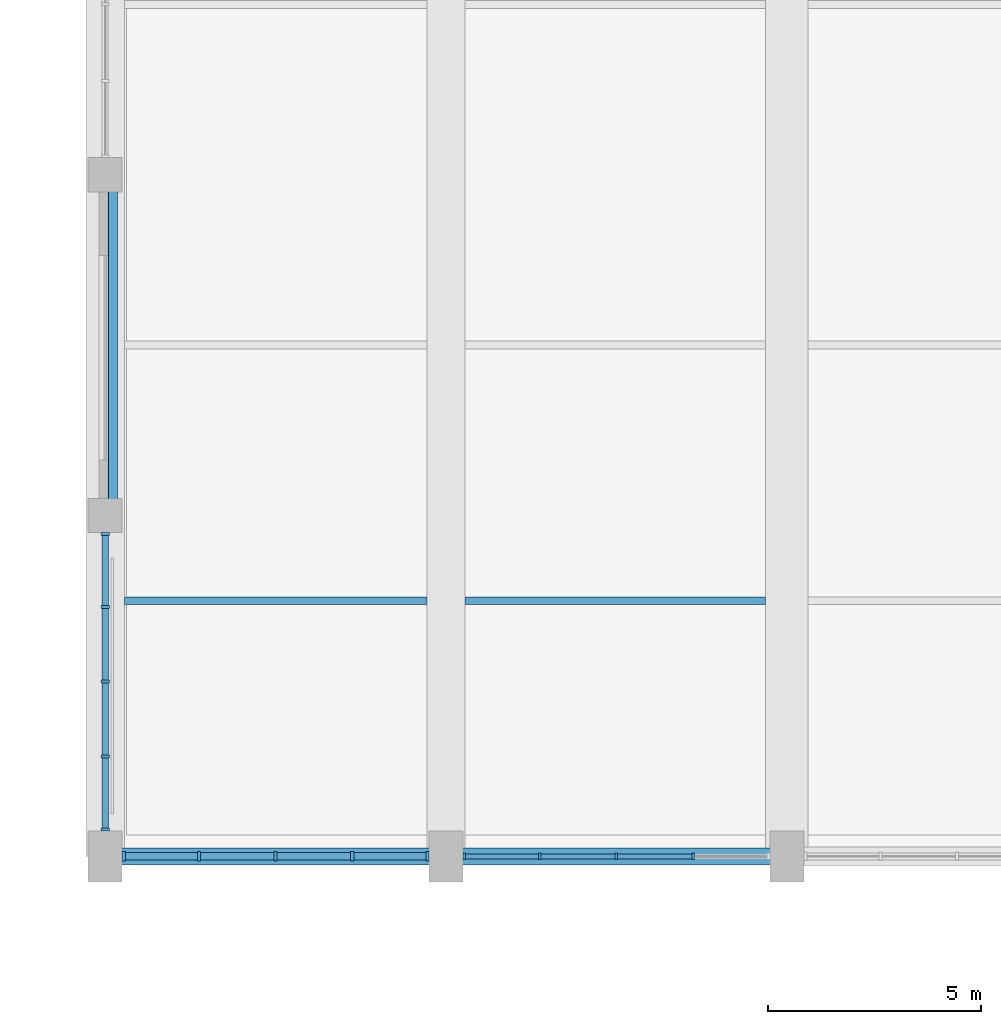
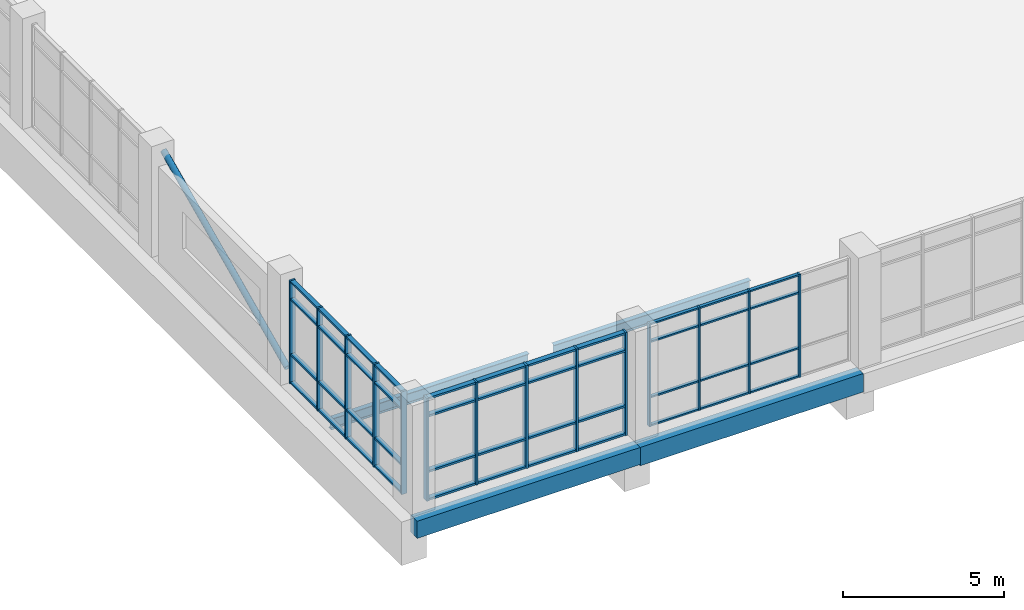
# One storey, part 3 of 84: 59 members, 4 beams, 3 elements without a shape of their own.
"""IFC4 building model written with IfcOpenShell, lengths in metres."""

from ifc_helpers import new_model, si_unit, direction, frame, origin, origin_2d, place, context, subcontext, project, spatial, rectangle, hollow_circle, i_section, extrude, material, material_profile, profile_set, type_object, element, aggregate, save


model = new_model("IFC4")

# Units and contexts
model_context = context("Model", 3, precision=1e-05, world=origin(), true_north=direction((0.0, 1.0)))
body_context = subcontext(model_context, "Body", "Model", "MODEL_VIEW")
ifc_project = project(units=[si_unit("LENGTHUNIT", "METRE"), si_unit("AREAUNIT", "SQUARE_METRE"), si_unit("VOLUMEUNIT", "CUBIC_METRE"), si_unit("PLANEANGLEUNIT", "RADIAN"), si_unit("MASSUNIT", "GRAM", prefix="KILO")], contexts=[model_context])

# Site, building, storey
site_placement = place(None, origin())
site = spatial("IfcSite", under=ifc_project, at=site_placement, CompositionType="ELEMENT")
building_placement = place(site_placement, origin())
building = spatial("IfcBuilding", under=site, at=building_placement, Name="Tenunan Teduh Sports Hall", CompositionType="ELEMENT")
storey_placement = place(building_placement, frame((0.0, 0.0, 10.800048828125)))
storey = spatial("IfcBuildingStorey", under=building, at=storey_placement, Name="L02", CompositionType="ELEMENT", Elevation=10.800048828125)

# Beams
ifc_material_1 = material(Name="Concrete C40/50", Category="concrete")
ifc_material_profile_1 = material_profile(ifc_material_1, rectangle(XDim=0.39990234375, YDim=0.64990234375, at=origin_2d()), Name="RCB 400x650")
ifc_profile_set_1 = profile_set([ifc_material_profile_1], Name="Concrete C40/50")
beam_type_1 = type_object("IfcBeamType", Name="BM-RC-400x650", PredefinedType="BEAM", material=ifc_profile_set_1)
beam_1_placement = place(storey_placement, frame((6.0, 14.0, -0.875), z_axis=(1.0, 0.0, 0.0), x_axis=(0.0, 1.0, 0.0)))
element("IfcBeam", 1, at=beam_1_placement, inside=storey, type_object=beam_type_1, Name="BM-B-07-L02-1452", PredefinedType="BEAM", context=body_context, shape_type="SweptSolid", body=[
    extrude(rectangle(XDim=0.39990234375, YDim=0.64990234375, at=origin_2d()), origin(), (0.0, 0.0, 1.0), 8.0),
])
ifc_material_2 = material(Name="Concrete C40/50", Category="concrete")
ifc_material_profile_2 = material_profile(ifc_material_2, rectangle(XDim=0.39990234375, YDim=0.699951171875, at=origin_2d()), Name="RCB 400x700")
ifc_profile_set_2 = profile_set([ifc_material_profile_2], Name="Concrete C40/50")
beam_type_2 = type_object("IfcBeamType", Name="BM-RC-400x700", PredefinedType="BEAM", material=ifc_profile_set_2)
beam_2_placement = place(storey_placement, frame((14.0, 14.0, -0.900146484375), z_axis=(1.0, 0.0, 0.0), x_axis=(0.0, 1.0, 0.0)))
element("IfcBeam", 2, at=beam_2_placement, inside=storey, type_object=beam_type_2, Name="BM-B-08-L02-1453", PredefinedType="BEAM", context=body_context, shape_type="SweptSolid", body=[
    extrude(rectangle(XDim=0.39990234375, YDim=0.699951171875, at=origin_2d()), origin(), (0.0, 0.0, 1.0), 8.0),
])

# Curtain wall, members
ifc_material_3 = material(Name="Anodised aluminium", Category="aluminium")
curtain_wall_type = type_object("IfcCurtainWallType", Name="CW-UNIT-2", PredefinedType="NOTDEFINED", material=ifc_material_3)
curtain_wall_1_placement = place(storey_placement, origin())
curtain_wall_1 = element("IfcCurtainWall", 3, at=curtain_wall_1_placement, inside=storey, type_object=curtain_wall_type, Name="CW-CWM-150-L02-059", PredefinedType="NOTDEFINED")
ifc_material_4 = material(Name="Anodised aluminium", Category="aluminium")
ifc_material_profile_3 = material_profile(ifc_material_4, rectangle(XDim=0.06005859375, YDim=0.14990234375, at=origin_2d()), Name="CWM 60x150")
ifc_profile_set_3 = profile_set([ifc_material_profile_3], Name="Anodised aluminium")
member_type_1 = type_object("IfcMemberType", Name="CWM-150", PredefinedType="MULLION", material=ifc_profile_set_3)
member_1_placement = place(storey_placement, frame((14.429931640625, 14.0, 0.0), z_axis=(0.0, 0.0, 1.0), x_axis=(1.0, 0.0, 0.0)))
member_1 = element("IfcMember", 4, at=member_1_placement, type_object=member_type_1, Name="CW-02 mullion 1", PredefinedType="MULLION", context=body_context, shape_type="SweptSolid", body=[
    extrude(rectangle(XDim=0.06005859375, YDim=0.14990234375, at=origin_2d()), origin(), (0.0, 0.0, 1.0), 3.89990234375),
])
member_2_placement = place(storey_placement, frame((16.199951171875, 14.0, 0.0), z_axis=(0.0, 0.0, 1.0), x_axis=(1.0, 0.0, 0.0)))
member_2 = element("IfcMember", 5, at=member_2_placement, type_object=member_type_1, Name="CW-02 mullion 2", PredefinedType="MULLION", context=body_context, shape_type="SweptSolid", body=[
    extrude(rectangle(XDim=0.06005859375, YDim=0.14990234375, at=origin_2d()), origin(), (0.0, 0.0, 1.0), 3.89990234375),
])
member_3_placement = place(storey_placement, frame((18.0, 14.0, 0.0), z_axis=(0.0, 0.0, 1.0), x_axis=(1.0, 0.0, 0.0)))
member_3 = element("IfcMember", 6, at=member_3_placement, type_object=member_type_1, Name="CW-02 mullion 3", PredefinedType="MULLION", context=body_context, shape_type="SweptSolid", body=[
    extrude(rectangle(XDim=0.06005859375, YDim=0.14990234375, at=origin_2d()), origin(), (0.0, 0.0, 1.0), 3.89990234375),
])
member_4_placement = place(storey_placement, frame((19.800048828125, 14.0, 0.0), z_axis=(0.0, 0.0, 1.0), x_axis=(1.0, 0.0, 0.0)))
member_4 = element("IfcMember", 7, at=member_4_placement, type_object=member_type_1, Name="CW-02 mullion 4", PredefinedType="MULLION", context=body_context, shape_type="SweptSolid", body=[
    extrude(rectangle(XDim=0.06005859375, YDim=0.14990234375, at=origin_2d()), origin(), (0.0, 0.0, 1.0), 3.89990234375),
])

curtain_wall_2_placement = place(storey_placement, origin())
curtain_wall_2 = element("IfcCurtainWall", 8, at=curtain_wall_2_placement, inside=storey, type_object=curtain_wall_type, Name="CW-CWM-200-L02-068", PredefinedType="NOTDEFINED")
ifc_material_5 = material(Name="Anodised aluminium", Category="aluminium")
ifc_material_profile_4 = material_profile(ifc_material_5, rectangle(XDim=0.070068359375, YDim=0.199951171875, at=origin_2d()), Name="CWM 70x200")
ifc_profile_set_4 = profile_set([ifc_material_profile_4], Name="Anodised aluminium")
member_type_2 = type_object("IfcMemberType", Name="CWM-200", PredefinedType="MULLION", material=ifc_profile_set_4)
member_5_placement = place(storey_placement, frame((6.0, 14.635009765625, 0.0), z_axis=(0.0, 0.0, 1.0), x_axis=(0.0, 1.0, 0.0)))
member_5 = element("IfcMember", 9, at=member_5_placement, type_object=member_type_2, Name="CW-02 mullion 1", PredefinedType="MULLION", context=body_context, shape_type="SweptSolid", body=[
    extrude(rectangle(XDim=0.070068359375, YDim=0.199951171875, at=origin_2d()), origin(), (0.0, 0.0, 1.0), 3.89990234375),
])
member_6_placement = place(storey_placement, frame((6.0, 16.35009765625, 0.0), z_axis=(0.0, 0.0, 1.0), x_axis=(0.0, 1.0, 0.0)))
member_6 = element("IfcMember", 10, at=member_6_placement, type_object=member_type_2, Name="CW-02 mullion 2", PredefinedType="MULLION", context=body_context, shape_type="SweptSolid", body=[
    extrude(rectangle(XDim=0.070068359375, YDim=0.199951171875, at=origin_2d()), origin(), (0.0, 0.0, 1.0), 3.89990234375),
])
member_7_placement = place(storey_placement, frame((6.0, 18.10009765625, 0.0), z_axis=(0.0, 0.0, 1.0), x_axis=(0.0, 1.0, 0.0)))
member_7 = element("IfcMember", 11, at=member_7_placement, type_object=member_type_2, Name="CW-02 mullion 3", PredefinedType="MULLION", context=body_context, shape_type="SweptSolid", body=[
    extrude(rectangle(XDim=0.070068359375, YDim=0.199951171875, at=origin_2d()), origin(), (0.0, 0.0, 1.0), 3.89990234375),
])
member_8_placement = place(storey_placement, frame((6.0, 19.85009765625, 0.0), z_axis=(0.0, 0.0, 1.0), x_axis=(0.0, 1.0, 0.0)))
member_8 = element("IfcMember", 12, at=member_8_placement, type_object=member_type_2, Name="CW-02 mullion 4", PredefinedType="MULLION", context=body_context, shape_type="SweptSolid", body=[
    extrude(rectangle(XDim=0.070068359375, YDim=0.199951171875, at=origin_2d()), origin(), (0.0, 0.0, 1.0), 3.89990234375),
])
member_9_placement = place(storey_placement, frame((6.0, 21.56494140625, 0.0), z_axis=(0.0, 0.0, 1.0), x_axis=(0.0, 1.0, 0.0)))
member_9 = element("IfcMember", 13, at=member_9_placement, type_object=member_type_2, Name="CW-02 mullion 5", PredefinedType="MULLION", context=body_context, shape_type="SweptSolid", body=[
    extrude(rectangle(XDim=0.070068359375, YDim=0.199951171875, at=origin_2d()), origin(), (0.0, 0.0, 1.0), 3.89990234375),
])

curtain_wall_3_placement = place(storey_placement, origin())
curtain_wall_3 = element("IfcCurtainWall", 14, at=curtain_wall_3_placement, inside=storey, type_object=curtain_wall_type, Name="CW-CWM-220-L02-057", PredefinedType="NOTDEFINED")
ifc_material_6 = material(Name="Anodised aluminium", Category="aluminium")
ifc_material_profile_5 = material_profile(ifc_material_6, rectangle(XDim=0.074951171875, YDim=0.219970703125, at=origin_2d()), Name="CWM 75x220")
ifc_profile_set_5 = profile_set([ifc_material_profile_5], Name="Anodised aluminium")
member_type_3 = type_object("IfcMemberType", Name="CWM-220", PredefinedType="MULLION", material=ifc_profile_set_5)
member_10_placement = place(storey_placement, frame((6.4375, 14.0, 0.0), z_axis=(0.0, 0.0, 1.0), x_axis=(1.0, 0.0, 0.0)))
member_10 = element("IfcMember", 15, at=member_10_placement, type_object=member_type_3, Name="CW-02 mullion 1", PredefinedType="MULLION", context=body_context, shape_type="SweptSolid", body=[
    extrude(rectangle(XDim=0.074951171875, YDim=0.219970703125, at=origin_2d()), origin(), (0.0, 0.0, 1.0), 3.89990234375),
])
member_11_placement = place(storey_placement, frame((8.199951171875, 14.0, 0.0), z_axis=(0.0, 0.0, 1.0), x_axis=(1.0, 0.0, 0.0)))
member_11 = element("IfcMember", 16, at=member_11_placement, type_object=member_type_3, Name="CW-02 mullion 2", PredefinedType="MULLION", context=body_context, shape_type="SweptSolid", body=[
    extrude(rectangle(XDim=0.074951171875, YDim=0.219970703125, at=origin_2d()), origin(), (0.0, 0.0, 1.0), 3.89990234375),
])
member_12_placement = place(storey_placement, frame((10.0, 14.0, 0.0), z_axis=(0.0, 0.0, 1.0), x_axis=(1.0, 0.0, 0.0)))
member_12 = element("IfcMember", 17, at=member_12_placement, type_object=member_type_3, Name="CW-02 mullion 3", PredefinedType="MULLION", context=body_context, shape_type="SweptSolid", body=[
    extrude(rectangle(XDim=0.074951171875, YDim=0.219970703125, at=origin_2d()), origin(), (0.0, 0.0, 1.0), 3.89990234375),
])
member_13_placement = place(storey_placement, frame((11.800048828125, 14.0, 0.0), z_axis=(0.0, 0.0, 1.0), x_axis=(1.0, 0.0, 0.0)))
member_13 = element("IfcMember", 18, at=member_13_placement, type_object=member_type_3, Name="CW-02 mullion 4", PredefinedType="MULLION", context=body_context, shape_type="SweptSolid", body=[
    extrude(rectangle(XDim=0.074951171875, YDim=0.219970703125, at=origin_2d()), origin(), (0.0, 0.0, 1.0), 3.89990234375),
])
member_14_placement = place(storey_placement, frame((13.5625, 14.0, 0.0), z_axis=(0.0, 0.0, 1.0), x_axis=(1.0, 0.0, 0.0)))
member_14 = element("IfcMember", 19, at=member_14_placement, type_object=member_type_3, Name="CW-02 mullion 5", PredefinedType="MULLION", context=body_context, shape_type="SweptSolid", body=[
    extrude(rectangle(XDim=0.074951171875, YDim=0.219970703125, at=origin_2d()), origin(), (0.0, 0.0, 1.0), 3.89990234375),
])

# Member
ifc_material_7 = material(Name="Anodised aluminium", Category="aluminium")
ifc_material_profile_6 = material_profile(ifc_material_7, rectangle(XDim=0.06005859375, YDim=0.1201171875, at=origin_2d()), Name="CWT 60x120")
ifc_profile_set_6 = profile_set([ifc_material_profile_6], Name="Anodised aluminium")
member_type_4 = type_object("IfcMemberType", Name="CWT-125", PredefinedType="USERDEFINED", material=ifc_profile_set_6)
member_15_placement = place(storey_placement, frame((14.4599609375, 14.0, 0.030029296875), z_axis=(1.0, 0.0, 0.0), x_axis=(0.0, 0.0, 1.0)))
member_15 = element("IfcMember", 20, at=member_15_placement, type_object=member_type_4, Name="CW-02 transom 1.1", ObjectType="TRANSOM", PredefinedType="USERDEFINED", context=body_context, shape_type="SweptSolid", body=[
    extrude(rectangle(XDim=0.06005859375, YDim=0.1201171875, at=origin_2d()), origin(), (0.0, 0.0, 1.0), 1.7099609375),
])

member_16_placement = place(storey_placement, frame((14.4599609375, 14.0, 1.099853515625), z_axis=(1.0, 0.0, 0.0), x_axis=(0.0, 0.0, 1.0)))
member_16 = element("IfcMember", 21, at=member_16_placement, type_object=member_type_4, Name="CW-02 transom 1.2", ObjectType="TRANSOM", PredefinedType="USERDEFINED", context=body_context, shape_type="SweptSolid", body=[
    extrude(rectangle(XDim=0.06005859375, YDim=0.1201171875, at=origin_2d()), origin(), (0.0, 0.0, 1.0), 1.7099609375),
])

member_17_placement = place(storey_placement, frame((14.4599609375, 14.0, 3.199951171875), z_axis=(1.0, 0.0, 0.0), x_axis=(0.0, 0.0, 1.0)))
member_17 = element("IfcMember", 22, at=member_17_placement, type_object=member_type_4, Name="CW-02 transom 1.3", ObjectType="TRANSOM", PredefinedType="USERDEFINED", context=body_context, shape_type="SweptSolid", body=[
    extrude(rectangle(XDim=0.06005859375, YDim=0.1201171875, at=origin_2d()), origin(), (0.0, 0.0, 1.0), 1.7099609375),
])

member_18_placement = place(storey_placement, frame((14.4599609375, 14.0, 3.869873046875), z_axis=(1.0, 0.0, 0.0), x_axis=(0.0, 0.0, 1.0)))
member_18 = element("IfcMember", 23, at=member_18_placement, type_object=member_type_4, Name="CW-02 transom 1.4", ObjectType="TRANSOM", PredefinedType="USERDEFINED", context=body_context, shape_type="SweptSolid", body=[
    extrude(rectangle(XDim=0.06005859375, YDim=0.1201171875, at=origin_2d()), origin(), (0.0, 0.0, 1.0), 1.7099609375),
])

member_19_placement = place(storey_placement, frame((16.22998046875, 14.0, 0.030029296875), z_axis=(1.0, 0.0, 0.0), x_axis=(0.0, 0.0, 1.0)))
member_19 = element("IfcMember", 24, at=member_19_placement, type_object=member_type_4, Name="CW-02 transom 2.1", ObjectType="TRANSOM", PredefinedType="USERDEFINED", context=body_context, shape_type="SweptSolid", body=[
    extrude(rectangle(XDim=0.06005859375, YDim=0.1201171875, at=origin_2d()), origin(), (0.0, 0.0, 1.0), 1.739990234375),
])

member_20_placement = place(storey_placement, frame((16.22998046875, 14.0, 1.099853515625), z_axis=(1.0, 0.0, 0.0), x_axis=(0.0, 0.0, 1.0)))
member_20 = element("IfcMember", 25, at=member_20_placement, type_object=member_type_4, Name="CW-02 transom 2.2", ObjectType="TRANSOM", PredefinedType="USERDEFINED", context=body_context, shape_type="SweptSolid", body=[
    extrude(rectangle(XDim=0.06005859375, YDim=0.1201171875, at=origin_2d()), origin(), (0.0, 0.0, 1.0), 1.739990234375),
])

member_21_placement = place(storey_placement, frame((16.22998046875, 14.0, 3.199951171875), z_axis=(1.0, 0.0, 0.0), x_axis=(0.0, 0.0, 1.0)))
member_21 = element("IfcMember", 26, at=member_21_placement, type_object=member_type_4, Name="CW-02 transom 2.3", ObjectType="TRANSOM", PredefinedType="USERDEFINED", context=body_context, shape_type="SweptSolid", body=[
    extrude(rectangle(XDim=0.06005859375, YDim=0.1201171875, at=origin_2d()), origin(), (0.0, 0.0, 1.0), 1.739990234375),
])

member_22_placement = place(storey_placement, frame((16.22998046875, 14.0, 3.869873046875), z_axis=(1.0, 0.0, 0.0), x_axis=(0.0, 0.0, 1.0)))
member_22 = element("IfcMember", 27, at=member_22_placement, type_object=member_type_4, Name="CW-02 transom 2.4", ObjectType="TRANSOM", PredefinedType="USERDEFINED", context=body_context, shape_type="SweptSolid", body=[
    extrude(rectangle(XDim=0.06005859375, YDim=0.1201171875, at=origin_2d()), origin(), (0.0, 0.0, 1.0), 1.739990234375),
])

member_23_placement = place(storey_placement, frame((18.030029296875, 14.0, 0.030029296875), z_axis=(1.0, 0.0, 0.0), x_axis=(0.0, 0.0, 1.0)))
member_23 = element("IfcMember", 28, at=member_23_placement, type_object=member_type_4, Name="CW-02 transom 3.1", ObjectType="TRANSOM", PredefinedType="USERDEFINED", context=body_context, shape_type="SweptSolid", body=[
    extrude(rectangle(XDim=0.06005859375, YDim=0.1201171875, at=origin_2d()), origin(), (0.0, 0.0, 1.0), 1.739990234375),
])

member_24_placement = place(storey_placement, frame((18.030029296875, 14.0, 1.099853515625), z_axis=(1.0, 0.0, 0.0), x_axis=(0.0, 0.0, 1.0)))
member_24 = element("IfcMember", 29, at=member_24_placement, type_object=member_type_4, Name="CW-02 transom 3.2", ObjectType="TRANSOM", PredefinedType="USERDEFINED", context=body_context, shape_type="SweptSolid", body=[
    extrude(rectangle(XDim=0.06005859375, YDim=0.1201171875, at=origin_2d()), origin(), (0.0, 0.0, 1.0), 1.739990234375),
])

member_25_placement = place(storey_placement, frame((18.030029296875, 14.0, 3.199951171875), z_axis=(1.0, 0.0, 0.0), x_axis=(0.0, 0.0, 1.0)))
member_25 = element("IfcMember", 30, at=member_25_placement, type_object=member_type_4, Name="CW-02 transom 3.3", ObjectType="TRANSOM", PredefinedType="USERDEFINED", context=body_context, shape_type="SweptSolid", body=[
    extrude(rectangle(XDim=0.06005859375, YDim=0.1201171875, at=origin_2d()), origin(), (0.0, 0.0, 1.0), 1.739990234375),
])

member_26_placement = place(storey_placement, frame((18.030029296875, 14.0, 3.869873046875), z_axis=(1.0, 0.0, 0.0), x_axis=(0.0, 0.0, 1.0)))
member_26 = element("IfcMember", 31, at=member_26_placement, type_object=member_type_4, Name="CW-02 transom 3.4", ObjectType="TRANSOM", PredefinedType="USERDEFINED", context=body_context, shape_type="SweptSolid", body=[
    extrude(rectangle(XDim=0.06005859375, YDim=0.1201171875, at=origin_2d()), origin(), (0.0, 0.0, 1.0), 1.739990234375),
])

aggregate(curtain_wall_1, [member_1, member_2, member_3, member_4, member_15, member_16, member_17, member_18, member_19, member_20, member_21, member_22, member_23, member_24, member_25, member_26])

ifc_material_8 = material(Name="Anodised aluminium", Category="aluminium")
ifc_material_profile_7 = material_profile(ifc_material_8, rectangle(XDim=0.074951171875, YDim=0.179931640625, at=origin_2d()), Name="CWT 75x180")
ifc_profile_set_7 = profile_set([ifc_material_profile_7], Name="Anodised aluminium")
member_type_5 = type_object("IfcMemberType", Name="CWT-180", PredefinedType="USERDEFINED", material=ifc_profile_set_7)
member_27_placement = place(storey_placement, frame((6.47509765625, 14.0, 0.037353515625), z_axis=(1.0, 0.0, 0.0), x_axis=(0.0, 0.0, 1.0)))
member_27 = element("IfcMember", 32, at=member_27_placement, type_object=member_type_5, Name="CW-02 transom 1.1", ObjectType="TRANSOM", PredefinedType="USERDEFINED", context=body_context, shape_type="SweptSolid", body=[
    extrude(rectangle(XDim=0.074951171875, YDim=0.179931640625, at=origin_2d()), origin(), (0.0, 0.0, 1.0), 1.6875),
])

member_28_placement = place(storey_placement, frame((6.47509765625, 14.0, 1.099853515625), z_axis=(1.0, 0.0, 0.0), x_axis=(0.0, 0.0, 1.0)))
member_28 = element("IfcMember", 33, at=member_28_placement, type_object=member_type_5, Name="CW-02 transom 1.2", ObjectType="TRANSOM", PredefinedType="USERDEFINED", context=body_context, shape_type="SweptSolid", body=[
    extrude(rectangle(XDim=0.074951171875, YDim=0.179931640625, at=origin_2d()), origin(), (0.0, 0.0, 1.0), 1.6875),
])

member_29_placement = place(storey_placement, frame((6.47509765625, 14.0, 3.199951171875), z_axis=(1.0, 0.0, 0.0), x_axis=(0.0, 0.0, 1.0)))
member_29 = element("IfcMember", 34, at=member_29_placement, type_object=member_type_5, Name="CW-02 transom 1.3", ObjectType="TRANSOM", PredefinedType="USERDEFINED", context=body_context, shape_type="SweptSolid", body=[
    extrude(rectangle(XDim=0.074951171875, YDim=0.179931640625, at=origin_2d()), origin(), (0.0, 0.0, 1.0), 1.6875),
])

member_30_placement = place(storey_placement, frame((6.47509765625, 14.0, 3.862548828125), z_axis=(1.0, 0.0, 0.0), x_axis=(0.0, 0.0, 1.0)))
member_30 = element("IfcMember", 35, at=member_30_placement, type_object=member_type_5, Name="CW-02 transom 1.4", ObjectType="TRANSOM", PredefinedType="USERDEFINED", context=body_context, shape_type="SweptSolid", body=[
    extrude(rectangle(XDim=0.074951171875, YDim=0.179931640625, at=origin_2d()), origin(), (0.0, 0.0, 1.0), 1.6875),
])

member_31_placement = place(storey_placement, frame((8.237548828125, 14.0, 0.037353515625), z_axis=(1.0, 0.0, 0.0), x_axis=(0.0, 0.0, 1.0)))
member_31 = element("IfcMember", 36, at=member_31_placement, type_object=member_type_5, Name="CW-02 transom 2.1", ObjectType="TRANSOM", PredefinedType="USERDEFINED", context=body_context, shape_type="SweptSolid", body=[
    extrude(rectangle(XDim=0.074951171875, YDim=0.179931640625, at=origin_2d()), origin(), (0.0, 0.0, 1.0), 1.724853515625),
])

member_32_placement = place(storey_placement, frame((8.237548828125, 14.0, 1.099853515625), z_axis=(1.0, 0.0, 0.0), x_axis=(0.0, 0.0, 1.0)))
member_32 = element("IfcMember", 37, at=member_32_placement, type_object=member_type_5, Name="CW-02 transom 2.2", ObjectType="TRANSOM", PredefinedType="USERDEFINED", context=body_context, shape_type="SweptSolid", body=[
    extrude(rectangle(XDim=0.074951171875, YDim=0.179931640625, at=origin_2d()), origin(), (0.0, 0.0, 1.0), 1.724853515625),
])

member_33_placement = place(storey_placement, frame((8.237548828125, 14.0, 3.199951171875), z_axis=(1.0, 0.0, 0.0), x_axis=(0.0, 0.0, 1.0)))
member_33 = element("IfcMember", 38, at=member_33_placement, type_object=member_type_5, Name="CW-02 transom 2.3", ObjectType="TRANSOM", PredefinedType="USERDEFINED", context=body_context, shape_type="SweptSolid", body=[
    extrude(rectangle(XDim=0.074951171875, YDim=0.179931640625, at=origin_2d()), origin(), (0.0, 0.0, 1.0), 1.724853515625),
])

member_34_placement = place(storey_placement, frame((8.237548828125, 14.0, 3.862548828125), z_axis=(1.0, 0.0, 0.0), x_axis=(0.0, 0.0, 1.0)))
member_34 = element("IfcMember", 39, at=member_34_placement, type_object=member_type_5, Name="CW-02 transom 2.4", ObjectType="TRANSOM", PredefinedType="USERDEFINED", context=body_context, shape_type="SweptSolid", body=[
    extrude(rectangle(XDim=0.074951171875, YDim=0.179931640625, at=origin_2d()), origin(), (0.0, 0.0, 1.0), 1.724853515625),
])

member_35_placement = place(storey_placement, frame((10.03759765625, 14.0, 0.037353515625), z_axis=(1.0, 0.0, 0.0), x_axis=(0.0, 0.0, 1.0)))
member_35 = element("IfcMember", 40, at=member_35_placement, type_object=member_type_5, Name="CW-02 transom 3.1", ObjectType="TRANSOM", PredefinedType="USERDEFINED", context=body_context, shape_type="SweptSolid", body=[
    extrude(rectangle(XDim=0.074951171875, YDim=0.179931640625, at=origin_2d()), origin(), (0.0, 0.0, 1.0), 1.724853515625),
])

member_36_placement = place(storey_placement, frame((10.03759765625, 14.0, 1.099853515625), z_axis=(1.0, 0.0, 0.0), x_axis=(0.0, 0.0, 1.0)))
member_36 = element("IfcMember", 41, at=member_36_placement, type_object=member_type_5, Name="CW-02 transom 3.2", ObjectType="TRANSOM", PredefinedType="USERDEFINED", context=body_context, shape_type="SweptSolid", body=[
    extrude(rectangle(XDim=0.074951171875, YDim=0.179931640625, at=origin_2d()), origin(), (0.0, 0.0, 1.0), 1.724853515625),
])

member_37_placement = place(storey_placement, frame((10.03759765625, 14.0, 3.199951171875), z_axis=(1.0, 0.0, 0.0), x_axis=(0.0, 0.0, 1.0)))
member_37 = element("IfcMember", 42, at=member_37_placement, type_object=member_type_5, Name="CW-02 transom 3.3", ObjectType="TRANSOM", PredefinedType="USERDEFINED", context=body_context, shape_type="SweptSolid", body=[
    extrude(rectangle(XDim=0.074951171875, YDim=0.179931640625, at=origin_2d()), origin(), (0.0, 0.0, 1.0), 1.724853515625),
])

member_38_placement = place(storey_placement, frame((10.03759765625, 14.0, 3.862548828125), z_axis=(1.0, 0.0, 0.0), x_axis=(0.0, 0.0, 1.0)))
member_38 = element("IfcMember", 43, at=member_38_placement, type_object=member_type_5, Name="CW-02 transom 3.4", ObjectType="TRANSOM", PredefinedType="USERDEFINED", context=body_context, shape_type="SweptSolid", body=[
    extrude(rectangle(XDim=0.074951171875, YDim=0.179931640625, at=origin_2d()), origin(), (0.0, 0.0, 1.0), 1.724853515625),
])

member_39_placement = place(storey_placement, frame((11.83740234375, 14.0, 0.037353515625), z_axis=(1.0, 0.0, 0.0), x_axis=(0.0, 0.0, 1.0)))
member_39 = element("IfcMember", 44, at=member_39_placement, type_object=member_type_5, Name="CW-02 transom 4.1", ObjectType="TRANSOM", PredefinedType="USERDEFINED", context=body_context, shape_type="SweptSolid", body=[
    extrude(rectangle(XDim=0.074951171875, YDim=0.179931640625, at=origin_2d()), origin(), (0.0, 0.0, 1.0), 1.6875),
])

member_40_placement = place(storey_placement, frame((11.83740234375, 14.0, 1.099853515625), z_axis=(1.0, 0.0, 0.0), x_axis=(0.0, 0.0, 1.0)))
member_40 = element("IfcMember", 45, at=member_40_placement, type_object=member_type_5, Name="CW-02 transom 4.2", ObjectType="TRANSOM", PredefinedType="USERDEFINED", context=body_context, shape_type="SweptSolid", body=[
    extrude(rectangle(XDim=0.074951171875, YDim=0.179931640625, at=origin_2d()), origin(), (0.0, 0.0, 1.0), 1.6875),
])

member_41_placement = place(storey_placement, frame((11.83740234375, 14.0, 3.199951171875), z_axis=(1.0, 0.0, 0.0), x_axis=(0.0, 0.0, 1.0)))
member_41 = element("IfcMember", 46, at=member_41_placement, type_object=member_type_5, Name="CW-02 transom 4.3", ObjectType="TRANSOM", PredefinedType="USERDEFINED", context=body_context, shape_type="SweptSolid", body=[
    extrude(rectangle(XDim=0.074951171875, YDim=0.179931640625, at=origin_2d()), origin(), (0.0, 0.0, 1.0), 1.6875),
])

member_42_placement = place(storey_placement, frame((11.83740234375, 14.0, 3.862548828125), z_axis=(1.0, 0.0, 0.0), x_axis=(0.0, 0.0, 1.0)))
member_42 = element("IfcMember", 47, at=member_42_placement, type_object=member_type_5, Name="CW-02 transom 4.4", ObjectType="TRANSOM", PredefinedType="USERDEFINED", context=body_context, shape_type="SweptSolid", body=[
    extrude(rectangle(XDim=0.074951171875, YDim=0.179931640625, at=origin_2d()), origin(), (0.0, 0.0, 1.0), 1.6875),
])

aggregate(curtain_wall_3, [member_10, member_11, member_12, member_13, member_14, member_27, member_28, member_29, member_30, member_31, member_32, member_33, member_34, member_35, member_36, member_37, member_38, member_39, member_40, member_41, member_42])

ifc_material_9 = material(Name="Anodised aluminium", Category="aluminium")
ifc_material_profile_8 = material_profile(ifc_material_9, rectangle(XDim=0.070068359375, YDim=0.159912109375, at=origin_2d()), Name="CWT 70x160")
ifc_profile_set_8 = profile_set([ifc_material_profile_8], Name="Anodised aluminium")
member_type_6 = type_object("IfcMemberType", Name="CWT-200", PredefinedType="USERDEFINED", material=ifc_profile_set_8)
member_43_placement = place(storey_placement, frame((6.0, 14.669921875, 0.034912109375), z_axis=(0.0, 1.0, 0.0), x_axis=(0.0, 0.0, 1.0)))
member_43 = element("IfcMember", 48, at=member_43_placement, type_object=member_type_6, Name="CW-02 transom 1.1", ObjectType="TRANSOM", PredefinedType="USERDEFINED", context=body_context, shape_type="SweptSolid", body=[
    extrude(rectangle(XDim=0.070068359375, YDim=0.159912109375, at=origin_2d()), origin(), (0.0, 0.0, 1.0), 1.64501953125),
])

member_44_placement = place(storey_placement, frame((6.0, 14.669921875, 1.099853515625), z_axis=(0.0, 1.0, 0.0), x_axis=(0.0, 0.0, 1.0)))
member_44 = element("IfcMember", 49, at=member_44_placement, type_object=member_type_6, Name="CW-02 transom 1.2", ObjectType="TRANSOM", PredefinedType="USERDEFINED", context=body_context, shape_type="SweptSolid", body=[
    extrude(rectangle(XDim=0.070068359375, YDim=0.159912109375, at=origin_2d()), origin(), (0.0, 0.0, 1.0), 1.64501953125),
])

member_45_placement = place(storey_placement, frame((6.0, 14.669921875, 3.199951171875), z_axis=(0.0, 1.0, 0.0), x_axis=(0.0, 0.0, 1.0)))
member_45 = element("IfcMember", 50, at=member_45_placement, type_object=member_type_6, Name="CW-02 transom 1.3", ObjectType="TRANSOM", PredefinedType="USERDEFINED", context=body_context, shape_type="SweptSolid", body=[
    extrude(rectangle(XDim=0.070068359375, YDim=0.159912109375, at=origin_2d()), origin(), (0.0, 0.0, 1.0), 1.64501953125),
])

member_46_placement = place(storey_placement, frame((6.0, 14.669921875, 3.864990234375), z_axis=(0.0, 1.0, 0.0), x_axis=(0.0, 0.0, 1.0)))
member_46 = element("IfcMember", 51, at=member_46_placement, type_object=member_type_6, Name="CW-02 transom 1.4", ObjectType="TRANSOM", PredefinedType="USERDEFINED", context=body_context, shape_type="SweptSolid", body=[
    extrude(rectangle(XDim=0.070068359375, YDim=0.159912109375, at=origin_2d()), origin(), (0.0, 0.0, 1.0), 1.64501953125),
])

member_47_placement = place(storey_placement, frame((6.0, 16.385009765625, 0.034912109375), z_axis=(0.0, 1.0, 0.0), x_axis=(0.0, 0.0, 1.0)))
member_47 = element("IfcMember", 52, at=member_47_placement, type_object=member_type_6, Name="CW-02 transom 2.1", ObjectType="TRANSOM", PredefinedType="USERDEFINED", context=body_context, shape_type="SweptSolid", body=[
    extrude(rectangle(XDim=0.070068359375, YDim=0.159912109375, at=origin_2d()), origin(), (0.0, 0.0, 1.0), 1.679931640625),
])

member_48_placement = place(storey_placement, frame((6.0, 16.385009765625, 1.099853515625), z_axis=(0.0, 1.0, 0.0), x_axis=(0.0, 0.0, 1.0)))
member_48 = element("IfcMember", 53, at=member_48_placement, type_object=member_type_6, Name="CW-02 transom 2.2", ObjectType="TRANSOM", PredefinedType="USERDEFINED", context=body_context, shape_type="SweptSolid", body=[
    extrude(rectangle(XDim=0.070068359375, YDim=0.159912109375, at=origin_2d()), origin(), (0.0, 0.0, 1.0), 1.679931640625),
])

member_49_placement = place(storey_placement, frame((6.0, 16.385009765625, 3.199951171875), z_axis=(0.0, 1.0, 0.0), x_axis=(0.0, 0.0, 1.0)))
member_49 = element("IfcMember", 54, at=member_49_placement, type_object=member_type_6, Name="CW-02 transom 2.3", ObjectType="TRANSOM", PredefinedType="USERDEFINED", context=body_context, shape_type="SweptSolid", body=[
    extrude(rectangle(XDim=0.070068359375, YDim=0.159912109375, at=origin_2d()), origin(), (0.0, 0.0, 1.0), 1.679931640625),
])

member_50_placement = place(storey_placement, frame((6.0, 16.385009765625, 3.864990234375), z_axis=(0.0, 1.0, 0.0), x_axis=(0.0, 0.0, 1.0)))
member_50 = element("IfcMember", 55, at=member_50_placement, type_object=member_type_6, Name="CW-02 transom 2.4", ObjectType="TRANSOM", PredefinedType="USERDEFINED", context=body_context, shape_type="SweptSolid", body=[
    extrude(rectangle(XDim=0.070068359375, YDim=0.159912109375, at=origin_2d()), origin(), (0.0, 0.0, 1.0), 1.679931640625),
])

member_51_placement = place(storey_placement, frame((6.0, 18.135009765625, 0.034912109375), z_axis=(0.0, 1.0, 0.0), x_axis=(0.0, 0.0, 1.0)))
member_51 = element("IfcMember", 56, at=member_51_placement, type_object=member_type_6, Name="CW-02 transom 3.1", ObjectType="TRANSOM", PredefinedType="USERDEFINED", context=body_context, shape_type="SweptSolid", body=[
    extrude(rectangle(XDim=0.070068359375, YDim=0.159912109375, at=origin_2d()), origin(), (0.0, 0.0, 1.0), 1.679931640625),
])

member_52_placement = place(storey_placement, frame((6.0, 18.135009765625, 1.099853515625), z_axis=(0.0, 1.0, 0.0), x_axis=(0.0, 0.0, 1.0)))
member_52 = element("IfcMember", 57, at=member_52_placement, type_object=member_type_6, Name="CW-02 transom 3.2", ObjectType="TRANSOM", PredefinedType="USERDEFINED", context=body_context, shape_type="SweptSolid", body=[
    extrude(rectangle(XDim=0.070068359375, YDim=0.159912109375, at=origin_2d()), origin(), (0.0, 0.0, 1.0), 1.679931640625),
])

member_53_placement = place(storey_placement, frame((6.0, 18.135009765625, 3.199951171875), z_axis=(0.0, 1.0, 0.0), x_axis=(0.0, 0.0, 1.0)))
member_53 = element("IfcMember", 58, at=member_53_placement, type_object=member_type_6, Name="CW-02 transom 3.3", ObjectType="TRANSOM", PredefinedType="USERDEFINED", context=body_context, shape_type="SweptSolid", body=[
    extrude(rectangle(XDim=0.070068359375, YDim=0.159912109375, at=origin_2d()), origin(), (0.0, 0.0, 1.0), 1.679931640625),
])

member_54_placement = place(storey_placement, frame((6.0, 18.135009765625, 3.864990234375), z_axis=(0.0, 1.0, 0.0), x_axis=(0.0, 0.0, 1.0)))
member_54 = element("IfcMember", 59, at=member_54_placement, type_object=member_type_6, Name="CW-02 transom 3.4", ObjectType="TRANSOM", PredefinedType="USERDEFINED", context=body_context, shape_type="SweptSolid", body=[
    extrude(rectangle(XDim=0.070068359375, YDim=0.159912109375, at=origin_2d()), origin(), (0.0, 0.0, 1.0), 1.679931640625),
])

member_55_placement = place(storey_placement, frame((6.0, 19.885009765625, 0.034912109375), z_axis=(0.0, 1.0, 0.0), x_axis=(0.0, 0.0, 1.0)))
member_55 = element("IfcMember", 60, at=member_55_placement, type_object=member_type_6, Name="CW-02 transom 4.1", ObjectType="TRANSOM", PredefinedType="USERDEFINED", context=body_context, shape_type="SweptSolid", body=[
    extrude(rectangle(XDim=0.070068359375, YDim=0.159912109375, at=origin_2d()), origin(), (0.0, 0.0, 1.0), 1.64501953125),
])

member_56_placement = place(storey_placement, frame((6.0, 19.885009765625, 1.099853515625), z_axis=(0.0, 1.0, 0.0), x_axis=(0.0, 0.0, 1.0)))
member_56 = element("IfcMember", 61, at=member_56_placement, type_object=member_type_6, Name="CW-02 transom 4.2", ObjectType="TRANSOM", PredefinedType="USERDEFINED", context=body_context, shape_type="SweptSolid", body=[
    extrude(rectangle(XDim=0.070068359375, YDim=0.159912109375, at=origin_2d()), origin(), (0.0, 0.0, 1.0), 1.64501953125),
])

member_57_placement = place(storey_placement, frame((6.0, 19.885009765625, 3.199951171875), z_axis=(0.0, 1.0, 0.0), x_axis=(0.0, 0.0, 1.0)))
member_57 = element("IfcMember", 62, at=member_57_placement, type_object=member_type_6, Name="CW-02 transom 4.3", ObjectType="TRANSOM", PredefinedType="USERDEFINED", context=body_context, shape_type="SweptSolid", body=[
    extrude(rectangle(XDim=0.070068359375, YDim=0.159912109375, at=origin_2d()), origin(), (0.0, 0.0, 1.0), 1.64501953125),
])

member_58_placement = place(storey_placement, frame((6.0, 19.885009765625, 3.864990234375), z_axis=(0.0, 1.0, 0.0), x_axis=(0.0, 0.0, 1.0)))
member_58 = element("IfcMember", 63, at=member_58_placement, type_object=member_type_6, Name="CW-02 transom 4.4", ObjectType="TRANSOM", PredefinedType="USERDEFINED", context=body_context, shape_type="SweptSolid", body=[
    extrude(rectangle(XDim=0.070068359375, YDim=0.159912109375, at=origin_2d()), origin(), (0.0, 0.0, 1.0), 1.64501953125),
])

aggregate(curtain_wall_2, [member_5, member_6, member_7, member_8, member_9, member_43, member_44, member_45, member_46, member_47, member_48, member_49, member_50, member_51, member_52, member_53, member_54, member_55, member_56, member_57, member_58])

ifc_material_10 = material(Name="Steel S355", Category="steel")
ifc_material_profile_9 = material_profile(ifc_material_10, hollow_circle(Radius=0.109619140625, WallThickness=0.010009765625, at=origin_2d()), Name="CHS 219.1x10.0")
ifc_profile_set_9 = profile_set([ifc_material_profile_9], Name="Steel S355")
member_type_7 = type_object("IfcMemberType", Name="MEM-BR-CHS219", PredefinedType="BRACE", material=ifc_profile_set_9)
member_59_placement = place(storey_placement, frame((6.179931640625, 22.14990234375, 0.14990234375), z_axis=(0.0, 0.908133749762, 0.418680179305), x_axis=(-1.0, 0.0, 0.0)))
element("IfcMember", 64, at=member_59_placement, inside=storey, type_object=member_type_7, Name="MEM-GD-02-L02-1446", PredefinedType="BRACE", context=body_context, shape_type="SweptSolid", body=[
    extrude(hollow_circle(Radius=0.109619140625, WallThickness=0.010009765625, at=origin_2d()), origin(), (0.0, 0.0, 1.0), 8.479248046875),
])

# Beams
ifc_material_11 = material(Name="Steel S355", Category="steel")
ifc_material_profile_10 = material_profile(ifc_material_11, i_section(OverallWidth=0.177978515625, OverallDepth=0.406494140625, WebThickness=0.0078125, FlangeThickness=0.0126953125, FilletRadius=0.01025390625, at=origin_2d()), Name="UKB 406x178x60")
ifc_profile_set_10 = profile_set([ifc_material_profile_10], Name="Steel S355")
beam_type_3 = type_object("IfcBeamType", Name="SBM-UKB406", PredefinedType="BEAM", material=ifc_profile_set_10)
beam_3_placement = place(storey_placement, frame((6.449951171875, 20.0, -0.753173828125), z_axis=(1.0, 0.0, 0.0), x_axis=(0.0, 1.0, 0.0)))
element("IfcBeam", 65, at=beam_3_placement, inside=storey, type_object=beam_type_3, Name="BM-SB-03-L02-0002", PredefinedType="BEAM", context=body_context, shape_type="SweptSolid", body=[
    extrude(i_section(OverallWidth=0.177978515625, OverallDepth=0.406494140625, WebThickness=0.0078125, FlangeThickness=0.0126953125, FilletRadius=0.01025390625, at=origin_2d()), origin(), (0.0, 0.0, 1.0), 7.10009765625),
])
beam_4_placement = place(storey_placement, frame((14.449951171875, 20.0, -0.753173828125), z_axis=(1.0, 0.0, 0.0), x_axis=(0.0, 1.0, 0.0)))
element("IfcBeam", 66, at=beam_4_placement, inside=storey, type_object=beam_type_3, Name="BM-SB-03-L02-0007", PredefinedType="BEAM", context=body_context, shape_type="SweptSolid", body=[
    extrude(i_section(OverallWidth=0.177978515625, OverallDepth=0.406494140625, WebThickness=0.0078125, FlangeThickness=0.0126953125, FilletRadius=0.01025390625, at=origin_2d()), origin(), (0.0, 0.0, 1.0), 7.050048828125),
])

save(model, "model.ifc")
